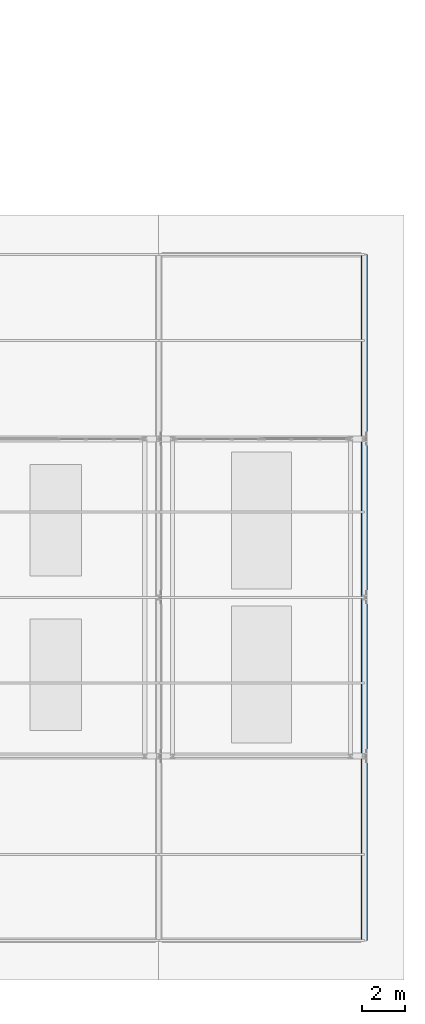
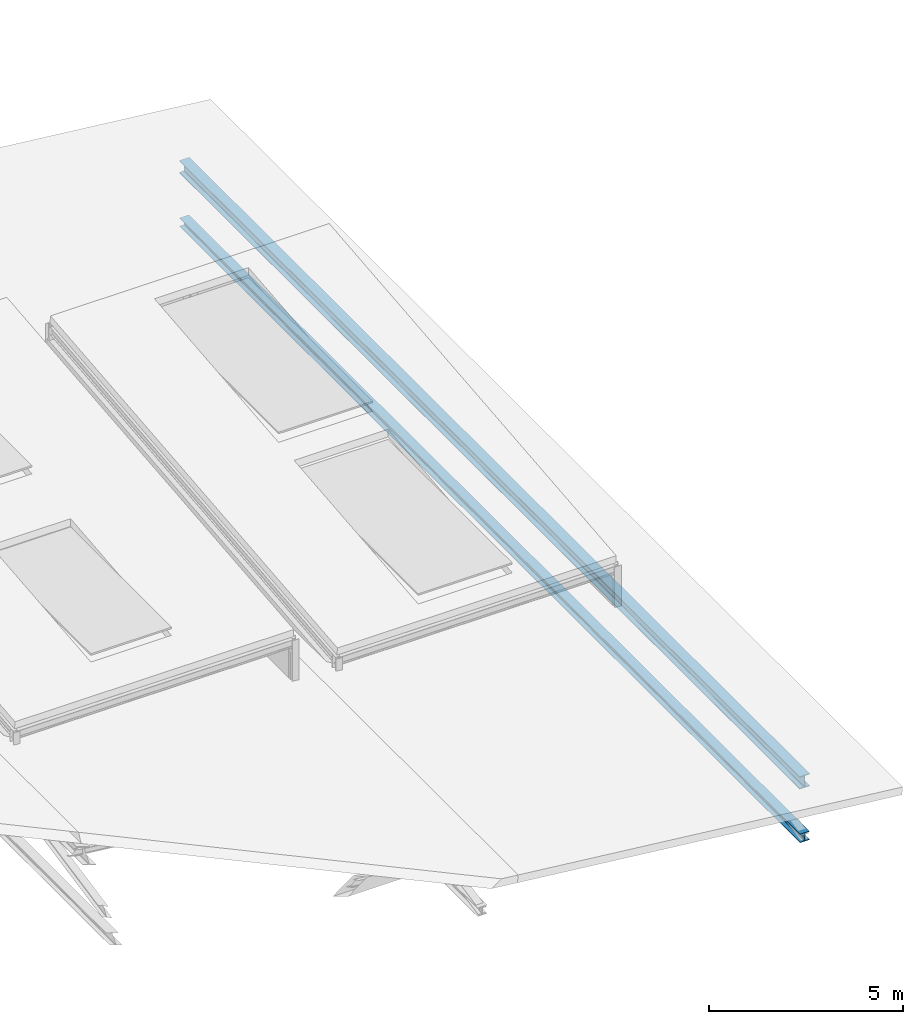
# One storey, part 23 of 30: 2 beams.
"""IFC4 building model written with IfcOpenShell, lengths in metres."""

from ifc_helpers import new_model, si_unit, direction, frame, origin, origin_2d, place, context, subcontext, project, spatial, i_section, extrude, material, material_profile, profile_set, type_object, element, save


model = new_model("IFC4")

# Units and contexts
model_context = context("Model", 3, precision=1e-05, world=origin(), true_north=direction((0.0, 1.0)))
body_context = subcontext(model_context, "Body", "Model", "MODEL_VIEW")
ifc_project = project(units=[si_unit("LENGTHUNIT", "METRE"), si_unit("AREAUNIT", "SQUARE_METRE"), si_unit("VOLUMEUNIT", "CUBIC_METRE"), si_unit("PLANEANGLEUNIT", "RADIAN"), si_unit("MASSUNIT", "GRAM", prefix="KILO")], contexts=[model_context])

# Site, building, storey
site_placement = place(None, origin())
site = spatial("IfcSite", under=ifc_project, at=site_placement, CompositionType="ELEMENT")
building_placement = place(site_placement, origin())
building = spatial("IfcBuilding", under=site, at=building_placement, Name="Alderhovde Museum", CompositionType="ELEMENT")
storey_placement = place(building_placement, frame((0.0, 0.0, 30.699951171875)))
storey = spatial("IfcBuildingStorey", under=building, at=storey_placement, Name="RF", CompositionType="ELEMENT", Elevation=30.699951171875)

# Beams
ifc_material_1 = material(Name="Steel S355J2", Category="steel")
ifc_material_profile_1 = material_profile(ifc_material_1, i_section(OverallWidth=0.280029296875, OverallDepth=0.27001953125, WebThickness=0.008056640625, FlangeThickness=0.012939453125, FilletRadius=0.02392578125, at=origin_2d()), Name="HEA 280")
ifc_profile_set_1 = profile_set([ifc_material_profile_1], Name="Steel S355J2")
beam_type_1 = type_object("IfcBeamType", Name="BM-HEA280", PredefinedType="BEAM", material=ifc_profile_set_1)
beam_1_placement = place(storey_placement, frame((76.800048828125, 48.0, -9.75), z_axis=(0.0, 1.0, 0.0), x_axis=(-1.0, 0.0, 0.0)))
element("IfcBeam", 1, at=beam_1_placement, inside=storey, type_object=beam_type_1, Name="Sawtooth Roof Truss X=76.8 Continuous Bottom Chord", PredefinedType="BEAM", context=body_context, shape_type="SweptSolid", body=[
    extrude(i_section(OverallWidth=0.280029296875, OverallDepth=0.27001953125, WebThickness=0.008056640625, FlangeThickness=0.012939453125, FilletRadius=0.02392578125, at=origin_2d()), origin(), (0.0, 0.0, 1.0), 32.0),
])
ifc_material_2 = material(Name="Steel S355J2", Category="steel")
ifc_material_profile_2 = material_profile(ifc_material_2, i_section(OverallWidth=0.300048828125, OverallDepth=0.389892578125, WebThickness=0.010986328125, FlangeThickness=0.01904296875, FilletRadius=0.027099609375, at=origin_2d()), Name="HEA 400")
ifc_profile_set_2 = profile_set([ifc_material_profile_2], Name="Steel S355J2")
beam_type_2 = type_object("IfcBeamType", Name="BM-HEA400", PredefinedType="BEAM", material=ifc_profile_set_2)
beam_2_placement = place(storey_placement, frame((76.800048828125, 48.0, -8.0), z_axis=(0.0, 1.0, 0.0), x_axis=(-1.0, 0.0, 0.0)))
element("IfcBeam", 2, at=beam_2_placement, inside=storey, type_object=beam_type_2, Name="Sawtooth Roof Truss X=76.8 Continuous Top Chord", PredefinedType="BEAM", context=body_context, shape_type="SweptSolid", body=[
    extrude(i_section(OverallWidth=0.300048828125, OverallDepth=0.389892578125, WebThickness=0.010986328125, FlangeThickness=0.01904296875, FilletRadius=0.027099609375, at=origin_2d()), origin(), (0.0, 0.0, 1.0), 32.0),
])

save(model, "model.ifc")
